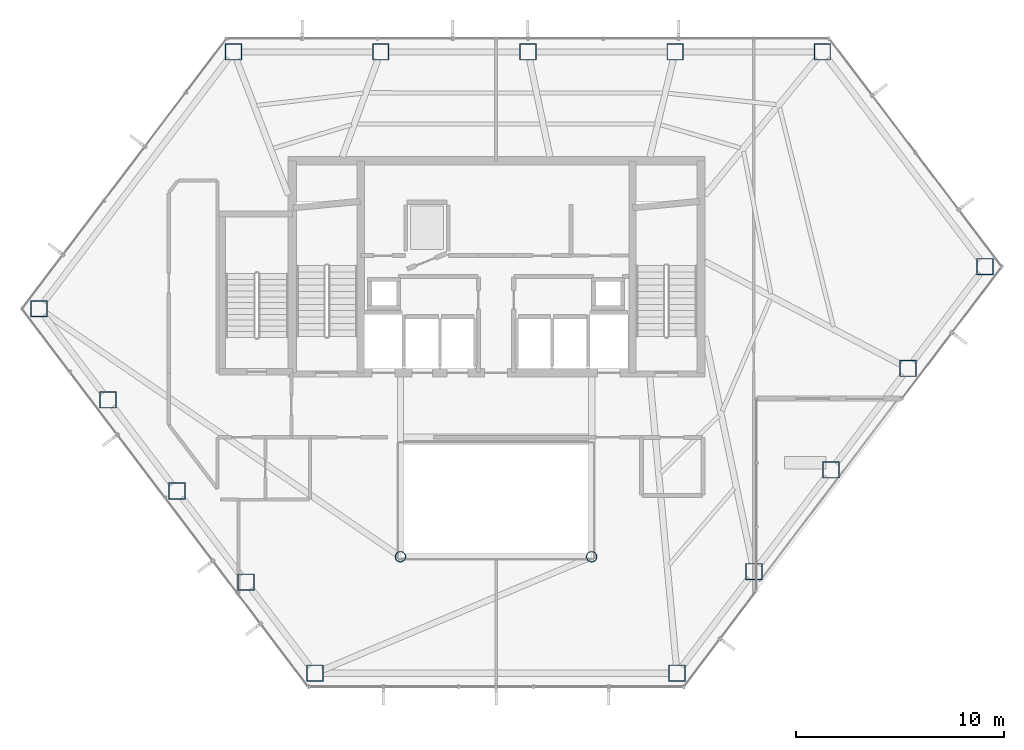
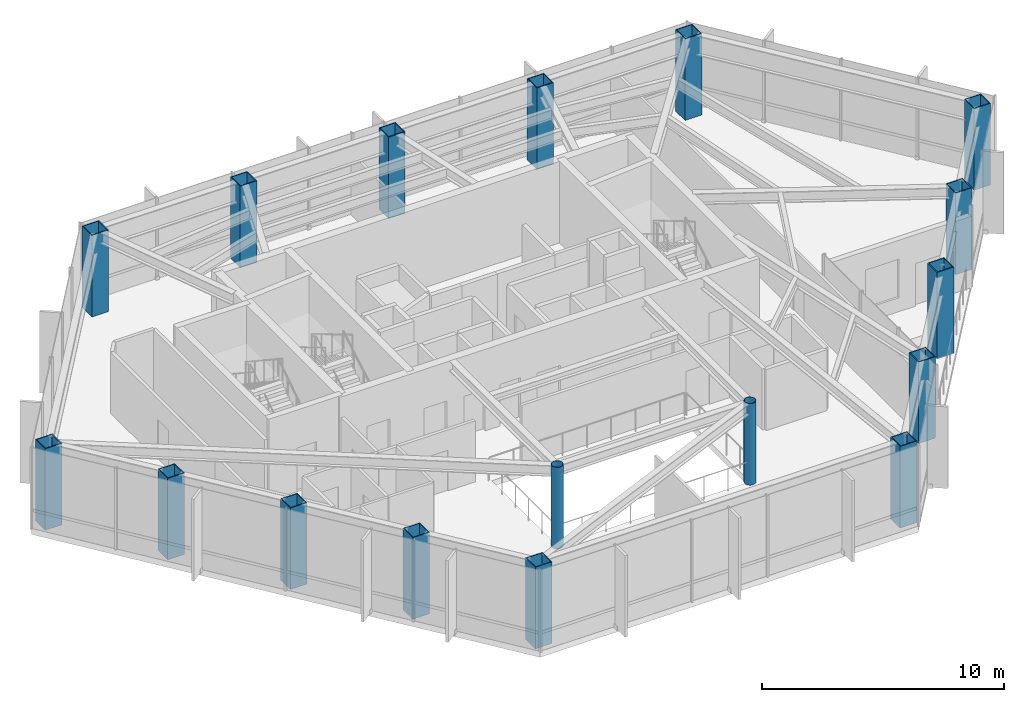
# One storey, part 1 of 27: 17 columns.
"""IFC4 building model written with IfcOpenShell, lengths in metres."""

import ifcopenshell
import ifcopenshell.guid

model = None  # the IFC model being written
_history = None  # IfcOwnerHistory: only IFC2X3 demands one
_inside = {}  # id of a spatial element -> (the spatial element, [elements in it])
_under = {}  # id of a project, library or spatial element -> (it, [spatial elements below it])
_declared = {}  # id of a project -> (the project, [libraries it declares])
_typed = {}  # id of a type object -> (the type object, [elements of that type])
_made_of = {}  # id of a material, layer set ... -> (it, [elements and type objects made of it])


def new_model(schema):
    """Start an empty IFC model of exactly this schema.

    Asked for "IFC4X3", IfcOpenShell would pick the latest addendum, in which some entities
    have other attributes; the version numbers below select the first issue.
    IFC2X3 requires an IfcOwnerHistory on every rooted entity: one is made here for all.
    """
    global model, _history
    if schema == "IFC4X3":
        model = ifcopenshell.file(schema_version=(4, 3, 0, 0))
    else:
        model = ifcopenshell.file(schema=schema)
    _inside.clear()
    _under.clear()
    _declared.clear()
    _typed.clear()
    _made_of.clear()
    _history = None
    if model.schema == "IFC2X3":
        org = make("IfcOrganization", Name="unknown")
        user = make(
            "IfcPersonAndOrganization",
            ThePerson=make("IfcPerson", FamilyName="unknown"),
            TheOrganization=org,
        )
        app = make(
            "IfcApplication",
            ApplicationDeveloper=org,
            Version="unknown",
            ApplicationFullName="unknown",
            ApplicationIdentifier="unknown",
        )
        _history = make(
            "IfcOwnerHistory",
            OwningUser=user,
            OwningApplication=app,
            ChangeAction="ADDED",
            CreationDate=0,
        )
    return model


def make(cls, **values):
    """One entity of the class cls with the attributes given. An attribute that is None is left unset."""
    return model.create_entity(
        cls, **{name: value for name, value in values.items() if value is not None}
    )


def rooted(cls, **values):
    """An entity with a GlobalId (a new one), such as an element, a storey or a relation."""
    return make(cls, GlobalId=ifcopenshell.guid.new(), OwnerHistory=_history, **values)


def si_unit(unit_type, name, prefix=None):
    """IfcSIUnit, for example si_unit("LENGTHUNIT", "METRE", prefix="MILLI")."""
    return make("IfcSIUnit", UnitType=unit_type, Prefix=prefix, Name=name)


def assignment(units):
    """IfcUnitAssignment: the units of a project."""
    return None if units is None else make("IfcUnitAssignment", Units=units)


def point(xyz):
    """IfcCartesianPoint."""
    return None if xyz is None else make("IfcCartesianPoint", Coordinates=xyz)


def direction(xyz):
    """IfcDirection."""
    return None if xyz is None else make("IfcDirection", DirectionRatios=xyz)


def frame(location, z_axis=None, x_axis=None):
    """IfcAxis2Placement3D, a coordinate frame: its origin and axes. An axis left out is left unset."""
    return make(
        "IfcAxis2Placement3D",
        Location=point(location),
        Axis=direction(z_axis),
        RefDirection=direction(x_axis),
    )


def frame_2d(location, x_axis=None):
    """IfcAxis2Placement2D, a coordinate frame in the plane: its origin and x axis."""
    return make(
        "IfcAxis2Placement2D", Location=point(location), RefDirection=direction(x_axis)
    )


def origin():
    """The frame at (0, 0, 0) with its axes left unset."""
    return frame((0.0, 0.0, 0.0))


def origin_2d():
    """The frame at (0, 0) in the plane with its x axis left unset."""
    return frame_2d((0.0, 0.0))


def place(relative_to, where):
    """IfcLocalPlacement: puts the frame where relative to a parent placement (None: the world)."""
    return make(
        "IfcLocalPlacement", PlacementRelTo=relative_to, RelativePlacement=where
    )


def context(
    kind, dimensions, precision=None, world=None, true_north=None, identifier=None
):
    """IfcGeometricRepresentationContext, for example the 3D "Model" context."""
    return make(
        "IfcGeometricRepresentationContext",
        ContextIdentifier=identifier,
        ContextType=kind,
        CoordinateSpaceDimension=dimensions,
        Precision=precision,
        WorldCoordinateSystem=world,
        TrueNorth=true_north,
    )


def subcontext(parent, identifier, kind, view, scale=None):
    """IfcGeometricRepresentationSubContext, for example "Body" below "Model"."""
    return make(
        "IfcGeometricRepresentationSubContext",
        ContextIdentifier=identifier,
        ContextType=kind,
        ParentContext=parent,
        TargetScale=scale,
        TargetView=view,
    )


def project(units=None, contexts=None):
    """IfcProject with its units and contexts."""
    return rooted(
        "IfcProject",
        Name="project",
        RepresentationContexts=contexts,
        UnitsInContext=assignment(units),
    )


def spatial(cls, under=None, at=None, **own):
    """A site, building, storey or space (cls), placed at a placement, below another one or the project."""
    s = rooted(cls, ObjectPlacement=at, **own)
    if under is not None:
        _under.setdefault(under.id(), (under, []))[1].append(s)
    return s


def profile(cls, at=None, kind="AREA", **sizes):
    """A parametric profile (cls). Its sizes go by their IFC names, for example OverallWidth=200.0."""
    return make(cls, ProfileType=kind, Position=at, **sizes)


def hollow_rectangle(**sizes):
    """IfcRectangleHollowProfileDef."""
    return profile("IfcRectangleHollowProfileDef", **sizes)


def hollow_circle(**sizes):
    """IfcCircleHollowProfileDef."""
    return profile("IfcCircleHollowProfileDef", **sizes)


def extrude(swept, where, along, depth):
    """IfcExtrudedAreaSolid: the profile swept, set in the frame where, extruded along a direction by depth."""
    return make(
        "IfcExtrudedAreaSolid",
        SweptArea=swept,
        Position=where,
        ExtrudedDirection=direction(along),
        Depth=depth,
    )


def shape(context_of_items, identifier, shape_type, items):
    """IfcShapeRepresentation: the items that make up one representation, for example the "Body"."""
    return make(
        "IfcShapeRepresentation",
        ContextOfItems=context_of_items,
        RepresentationIdentifier=identifier,
        RepresentationType=shape_type,
        Items=items,
    )


def material(Name=None, Category=None):
    """IfcMaterial."""
    return make("IfcMaterial", Name=Name, Category=Category)


def material_profile(
    of_material, cross_section, Name=None, Category=None, Priority=None
):
    """IfcMaterialProfile: a cross section and its material."""
    return make(
        "IfcMaterialProfile",
        Name=Name,
        Material=of_material,
        Profile=cross_section,
        Priority=Priority,
        Category=Category,
    )


def profile_set(profiles, Name=None, composite=None):
    """IfcMaterialProfileSet."""
    return make(
        "IfcMaterialProfileSet",
        Name=Name,
        MaterialProfiles=profiles,
        CompositeProfile=composite,
    )


def made_of(thing, what):
    """Note that an element or type object is made of a material, layer set ...; save() writes the relation."""
    if what is not None:
        _made_of.setdefault(what.id(), (what, []))[1].append(thing)
    return thing


def type_object(cls, material=None, **own):
    """A type object (cls), such as IfcWallType, which elements share."""
    return made_of(rooted(cls, **own), material)


def element(
    cls,
    number,
    at=None,
    inside=None,
    cuts=None,
    type_object=None,
    material=None,
    context=None,
    identifier="Body",
    shape_type=None,
    held_by="IfcProductDefinitionShape",
    body=None,
    shapes=None,
    **own,
):
    """One element of the class cls, such as IfcWall. Its Tag is "e" and its number.

    at: its placement. inside: the storey or other place that contains it. cuts: it is an
    opening in that element (IfcRelVoidsElement). A single representation is given by context,
    identifier, shape_type and body (its items); several are given by shapes. held_by: the class
    of the entity that holds the representations. save() writes the other relations.
    """
    e = rooted(cls, Tag="e%d" % number, ObjectPlacement=at, **own)
    if body is not None:
        shapes = [shape(context, identifier, shape_type, body)]
    if shapes is not None:
        e.Representation = make(held_by, Representations=shapes)
    if inside is not None:
        _inside.setdefault(inside.id(), (inside, []))[1].append(e)
    if cuts is not None:
        rooted(
            "IfcRelVoidsElement", RelatingBuildingElement=cuts, RelatedOpeningElement=e
        )
    if type_object is not None:
        _typed.setdefault(type_object.id(), (type_object, []))[1].append(e)
    return made_of(e, material)


def aggregate(whole, parts):
    """IfcRelAggregates: a whole, such as a stair, and the parts it consists of."""
    return rooted("IfcRelAggregates", RelatingObject=whole, RelatedObjects=parts)


def save(model, path):
    """Write the relations noted so far, then the file.

    IfcRelAggregates (storeys below a building ...), IfcRelContainedInSpatialStructure (elements
    in a storey), IfcRelDefinesByType, IfcRelAssociatesMaterial and IfcRelDeclares: one each for
    every whole, place, type object, material and project.
    """
    for whole, parts in _under.values():
        aggregate(whole, parts)
    for where, things in _inside.values():
        rooted(
            "IfcRelContainedInSpatialStructure",
            RelatedElements=things,
            RelatingStructure=where,
        )
    for kind, things in _typed.values():
        rooted("IfcRelDefinesByType", RelatedObjects=things, RelatingType=kind)
    for what, things in _made_of.values():
        rooted("IfcRelAssociatesMaterial", RelatedObjects=things, RelatingMaterial=what)
    for by, libraries in _declared.values():
        rooted("IfcRelDeclares", RelatingContext=by, RelatedDefinitions=libraries)
    model.write(path)


model = new_model("IFC4")

# Units and contexts
model_context = context("Model", 3, precision=1e-05, world=origin(), true_north=direction((0.0, 1.0)))
body_context = subcontext(model_context, "Body", "Model", "MODEL_VIEW")
ifc_project = project(units=[si_unit("LENGTHUNIT", "METRE"), si_unit("AREAUNIT", "SQUARE_METRE"), si_unit("VOLUMEUNIT", "CUBIC_METRE"), si_unit("PLANEANGLEUNIT", "RADIAN"), si_unit("MASSUNIT", "GRAM", prefix="KILO")], contexts=[model_context])

# Site, building, storey
site_placement = place(None, origin())
site = spatial("IfcSite", under=ifc_project, at=site_placement, CompositionType="ELEMENT")
building_placement = place(site_placement, origin())
building = spatial("IfcBuilding", under=site, at=building_placement, Name="Zarrinselat Tower", CompositionType="ELEMENT")
storey_placement = place(building_placement, frame((0.0, 0.0, 114.580078125)))
storey = spatial("IfcBuildingStorey", under=building, at=storey_placement, Name="L27", CompositionType="ELEMENT", Elevation=114.580078125)

# Columns
ifc_material_1 = material(Name="Steel S355J2", Category="steel")
ifc_material_profile_1 = material_profile(ifc_material_1, hollow_circle(Radius=0.25390625, WallThickness=0.02001953125, at=origin_2d()), Name="CHS 508x20")
ifc_profile_set_1 = profile_set([ifc_material_profile_1], Name="Steel S355J2")
column_type_1 = type_object("IfcColumnType", Name="COL-CHS508", PredefinedType="COLUMN", material=ifc_profile_set_1)
for number, where, z_axis, x_axis, name in (
    (1, (33.800048828125, 24.39990234375, 0.0), (0.0, 0.0, 1.0), (1.0, 0.0, 0.0), "L27 Atrium Corner Column 1"),
    (2, (43.0, 24.39990234375, 0.0), (0.0, 0.0, 1.0), (1.0, 0.0, 0.0), "L27 Atrium Corner Column 2"),
):
    element("IfcColumn", number, at=place(storey_placement, frame(where, z_axis=z_axis, x_axis=x_axis)), inside=storey, type_object=column_type_1, Name=name, PredefinedType="COLUMN", context=body_context, shape_type="SweptSolid", body=[
        extrude(hollow_circle(Radius=0.25390625, WallThickness=0.02001953125, at=origin_2d()), origin(), (0.0, 0.0, 1.0), 4.119873046875),
    ])
ifc_material_2 = material(Name="Steel S460M", Category="steel")
ifc_material_profile_2 = material_profile(ifc_material_2, hollow_rectangle(XDim=0.800048828125, YDim=0.800048828125, WallThickness=0.0400390625, at=origin_2d()), Name="SHS 800x800x40")
ifc_profile_set_2 = profile_set([ifc_material_profile_2], Name="Steel S460M")
column_type_2 = type_object("IfcColumnType", Name="COL-SHS800", PredefinedType="COLUMN", material=ifc_profile_set_2)
for number, where, z_axis, x_axis, name in (
    (3, (54.103271484375, 48.6943359375, 0.0), (0.0, 0.0, 1.0), (1.0, 0.0, 0.0), "L27 Framed-Tube Column T01"),
    (4, (47.019287109375, 48.6943359375, 0.0), (0.0, 0.0, 1.0), (1.0, 0.0, 0.0), "L27 Framed-Tube Column T02"),
    (5, (39.935302734375, 48.6943359375, 0.0), (0.0, 0.0, 1.0), (1.0, 0.0, 0.0), "L27 Framed-Tube Column T03"),
    (6, (32.851318359375, 48.6943359375, 0.0), (0.0, 0.0, 1.0), (1.0, 0.0, 0.0), "L27 Framed-Tube Column T04"),
    (7, (25.767333984375, 48.6943359375, 0.0), (0.0, 0.0, 1.0), (1.0, 0.0, 0.0), "L27 Framed-Tube Column T05"),
    (8, (16.404296875, 36.335205078125, 0.0), (0.0, 0.0, 1.0), (1.0, 0.0, 0.0), "L27 Framed-Tube Column T06"),
    (9, (19.72607421875, 31.95068359375, 0.0), (0.0, 0.0, 1.0), (1.0, 0.0, 0.0), "L27 Framed-Tube Column T07"),
    (10, (23.047607421875, 27.566162109375, 0.0), (0.0, 0.0, 1.0), (1.0, 0.0, 0.0), "L27 Framed-Tube Column T08"),
    (11, (26.369140625, 23.181640625, 0.0), (0.0, 0.0, 1.0), (1.0, 0.0, 0.0), "L27 Framed-Tube Column T09"),
    (12, (29.690673828125, 18.797119140625, 0.0), (0.0, 0.0, 1.0), (1.0, 0.0, 0.0), "L27 Framed-Tube Column T10"),
    (13, (47.109375, 18.797119140625, 0.0), (0.0, 0.0, 1.0), (1.0, 0.0, 0.0), "L27 Framed-Tube Column T11"),
    (14, (50.814697265625, 23.688232421875, 0.0), (0.0, 0.0, 1.0), (1.0, 0.0, 0.0), "L27 Framed-Tube Column T12"),
):
    element("IfcColumn", number, at=place(storey_placement, frame(where, z_axis=z_axis, x_axis=x_axis)), inside=storey, type_object=column_type_2, Name=name, PredefinedType="COLUMN", context=body_context, shape_type="SweptSolid", body=[
        extrude(hollow_rectangle(XDim=0.800048828125, YDim=0.800048828125, WallThickness=0.0400390625, at=origin_2d()), origin(), (0.0, 0.0, 1.0), 4.119873046875),
    ])
column_placement = place(storey_placement, frame((54.520263671875, 28.579345703125, 0.0), z_axis=(0.0, 0.0, 1.0), x_axis=(1.0, 0.0, 0.0)))
element("IfcColumn", 15, at=column_placement, inside=storey, type_object=column_type_2, Name="L27 Framed-Tube Column T13", PredefinedType="COLUMN", context=body_context, shape_type="SweptSolid", body=[
    extrude(hollow_rectangle(XDim=0.800048828125, YDim=0.800048828125, WallThickness=0.0400390625, at=origin_2d()), origin(), (0.0, 0.0, 1.0), 4.3798828125),
])
for number, where, z_axis, x_axis, name in (
    (16, (58.2255859375, 33.470703125, 0.0), (0.0, 0.0, 1.0), (1.0, 0.0, 0.0), "L27 Framed-Tube Column T14"),
    (17, (61.930908203125, 38.36181640625, 0.0), (0.0, 0.0, 1.0), (1.0, 0.0, 0.0), "L27 Framed-Tube Column T15"),
):
    element("IfcColumn", number, at=place(storey_placement, frame(where, z_axis=z_axis, x_axis=x_axis)), inside=storey, type_object=column_type_2, Name=name, PredefinedType="COLUMN", context=body_context, shape_type="SweptSolid", body=[
        extrude(hollow_rectangle(XDim=0.800048828125, YDim=0.800048828125, WallThickness=0.0400390625, at=origin_2d()), origin(), (0.0, 0.0, 1.0), 4.119873046875),
    ])

save(model, "model.ifc")
